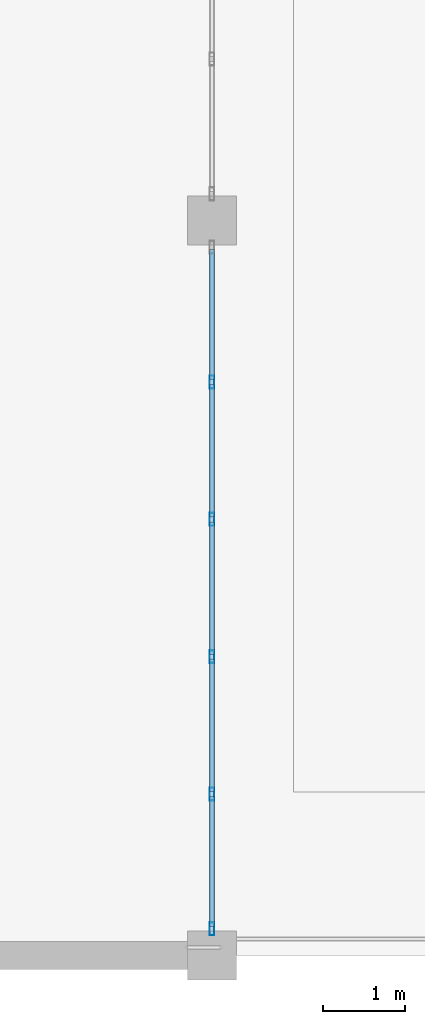
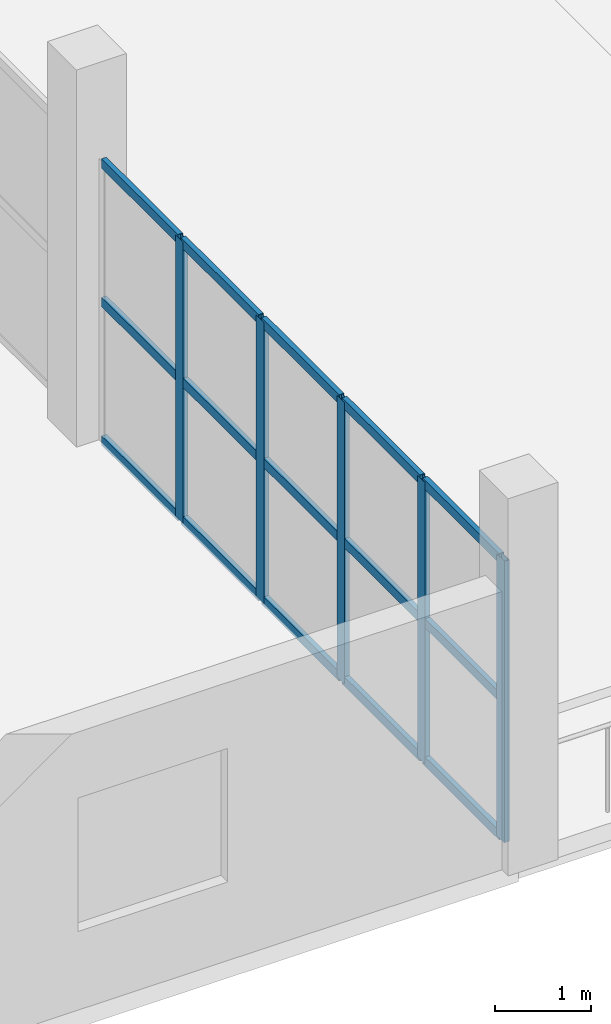
# One storey, part 23 of 89: 20 members, 1 element without a shape of its own.
"""IFC4 building model written with IfcOpenShell, lengths in metres."""

import ifcopenshell
import ifcopenshell.guid

model = None  # the IFC model being written
_history = None  # IfcOwnerHistory: only IFC2X3 demands one
_inside = {}  # id of a spatial element -> (the spatial element, [elements in it])
_under = {}  # id of a project, library or spatial element -> (it, [spatial elements below it])
_declared = {}  # id of a project -> (the project, [libraries it declares])
_typed = {}  # id of a type object -> (the type object, [elements of that type])
_made_of = {}  # id of a material, layer set ... -> (it, [elements and type objects made of it])


def new_model(schema):
    """Start an empty IFC model of exactly this schema.

    Asked for "IFC4X3", IfcOpenShell would pick the latest addendum, in which some entities
    have other attributes; the version numbers below select the first issue.
    IFC2X3 requires an IfcOwnerHistory on every rooted entity: one is made here for all.
    """
    global model, _history
    if schema == "IFC4X3":
        model = ifcopenshell.file(schema_version=(4, 3, 0, 0))
    else:
        model = ifcopenshell.file(schema=schema)
    _inside.clear()
    _under.clear()
    _declared.clear()
    _typed.clear()
    _made_of.clear()
    _history = None
    if model.schema == "IFC2X3":
        org = make("IfcOrganization", Name="unknown")
        user = make(
            "IfcPersonAndOrganization",
            ThePerson=make("IfcPerson", FamilyName="unknown"),
            TheOrganization=org,
        )
        app = make(
            "IfcApplication",
            ApplicationDeveloper=org,
            Version="unknown",
            ApplicationFullName="unknown",
            ApplicationIdentifier="unknown",
        )
        _history = make(
            "IfcOwnerHistory",
            OwningUser=user,
            OwningApplication=app,
            ChangeAction="ADDED",
            CreationDate=0,
        )
    return model


def make(cls, **values):
    """One entity of the class cls with the attributes given. An attribute that is None is left unset."""
    return model.create_entity(
        cls, **{name: value for name, value in values.items() if value is not None}
    )


def rooted(cls, **values):
    """An entity with a GlobalId (a new one), such as an element, a storey or a relation."""
    return make(cls, GlobalId=ifcopenshell.guid.new(), OwnerHistory=_history, **values)


def si_unit(unit_type, name, prefix=None):
    """IfcSIUnit, for example si_unit("LENGTHUNIT", "METRE", prefix="MILLI")."""
    return make("IfcSIUnit", UnitType=unit_type, Prefix=prefix, Name=name)


def assignment(units):
    """IfcUnitAssignment: the units of a project."""
    return None if units is None else make("IfcUnitAssignment", Units=units)


def point(xyz):
    """IfcCartesianPoint."""
    return None if xyz is None else make("IfcCartesianPoint", Coordinates=xyz)


def direction(xyz):
    """IfcDirection."""
    return None if xyz is None else make("IfcDirection", DirectionRatios=xyz)


def frame(location, z_axis=None, x_axis=None):
    """IfcAxis2Placement3D, a coordinate frame: its origin and axes. An axis left out is left unset."""
    return make(
        "IfcAxis2Placement3D",
        Location=point(location),
        Axis=direction(z_axis),
        RefDirection=direction(x_axis),
    )


def frame_2d(location, x_axis=None):
    """IfcAxis2Placement2D, a coordinate frame in the plane: its origin and x axis."""
    return make(
        "IfcAxis2Placement2D", Location=point(location), RefDirection=direction(x_axis)
    )


def origin():
    """The frame at (0, 0, 0) with its axes left unset."""
    return frame((0.0, 0.0, 0.0))


def origin_2d():
    """The frame at (0, 0) in the plane with its x axis left unset."""
    return frame_2d((0.0, 0.0))


def place(relative_to, where):
    """IfcLocalPlacement: puts the frame where relative to a parent placement (None: the world)."""
    return make(
        "IfcLocalPlacement", PlacementRelTo=relative_to, RelativePlacement=where
    )


def context(
    kind, dimensions, precision=None, world=None, true_north=None, identifier=None
):
    """IfcGeometricRepresentationContext, for example the 3D "Model" context."""
    return make(
        "IfcGeometricRepresentationContext",
        ContextIdentifier=identifier,
        ContextType=kind,
        CoordinateSpaceDimension=dimensions,
        Precision=precision,
        WorldCoordinateSystem=world,
        TrueNorth=true_north,
    )


def subcontext(parent, identifier, kind, view, scale=None):
    """IfcGeometricRepresentationSubContext, for example "Body" below "Model"."""
    return make(
        "IfcGeometricRepresentationSubContext",
        ContextIdentifier=identifier,
        ContextType=kind,
        ParentContext=parent,
        TargetScale=scale,
        TargetView=view,
    )


def project(units=None, contexts=None):
    """IfcProject with its units and contexts."""
    return rooted(
        "IfcProject",
        Name="project",
        RepresentationContexts=contexts,
        UnitsInContext=assignment(units),
    )


def spatial(cls, under=None, at=None, **own):
    """A site, building, storey or space (cls), placed at a placement, below another one or the project."""
    s = rooted(cls, ObjectPlacement=at, **own)
    if under is not None:
        _under.setdefault(under.id(), (under, []))[1].append(s)
    return s


def profile(cls, at=None, kind="AREA", **sizes):
    """A parametric profile (cls). Its sizes go by their IFC names, for example OverallWidth=200.0."""
    return make(cls, ProfileType=kind, Position=at, **sizes)


def hollow_rectangle(**sizes):
    """IfcRectangleHollowProfileDef."""
    return profile("IfcRectangleHollowProfileDef", **sizes)


def extrude(swept, where, along, depth):
    """IfcExtrudedAreaSolid: the profile swept, set in the frame where, extruded along a direction by depth."""
    return make(
        "IfcExtrudedAreaSolid",
        SweptArea=swept,
        Position=where,
        ExtrudedDirection=direction(along),
        Depth=depth,
    )


def shape(context_of_items, identifier, shape_type, items):
    """IfcShapeRepresentation: the items that make up one representation, for example the "Body"."""
    return make(
        "IfcShapeRepresentation",
        ContextOfItems=context_of_items,
        RepresentationIdentifier=identifier,
        RepresentationType=shape_type,
        Items=items,
    )


def material(Name=None, Category=None):
    """IfcMaterial."""
    return make("IfcMaterial", Name=Name, Category=Category)


def layer(
    of_material, thickness, ventilated=None, Name=None, Category=None, Priority=None
):
    """IfcMaterialLayer: one layer of a wall or slab, of a material (None: an air gap)."""
    return make(
        "IfcMaterialLayer",
        Material=of_material,
        LayerThickness=thickness,
        IsVentilated=ventilated,
        Name=Name,
        Category=Category,
        Priority=Priority,
    )


def layer_set(layers, Name=None):
    """IfcMaterialLayerSet."""
    return make("IfcMaterialLayerSet", MaterialLayers=layers, LayerSetName=Name)


def material_profile(
    of_material, cross_section, Name=None, Category=None, Priority=None
):
    """IfcMaterialProfile: a cross section and its material."""
    return make(
        "IfcMaterialProfile",
        Name=Name,
        Material=of_material,
        Profile=cross_section,
        Priority=Priority,
        Category=Category,
    )


def profile_set(profiles, Name=None, composite=None):
    """IfcMaterialProfileSet."""
    return make(
        "IfcMaterialProfileSet",
        Name=Name,
        MaterialProfiles=profiles,
        CompositeProfile=composite,
    )


def made_of(thing, what):
    """Note that an element or type object is made of a material, layer set ...; save() writes the relation."""
    if what is not None:
        _made_of.setdefault(what.id(), (what, []))[1].append(thing)
    return thing


def type_object(cls, material=None, **own):
    """A type object (cls), such as IfcWallType, which elements share."""
    return made_of(rooted(cls, **own), material)


def element(
    cls,
    number,
    at=None,
    inside=None,
    cuts=None,
    type_object=None,
    material=None,
    context=None,
    identifier="Body",
    shape_type=None,
    held_by="IfcProductDefinitionShape",
    body=None,
    shapes=None,
    **own,
):
    """One element of the class cls, such as IfcWall. Its Tag is "e" and its number.

    at: its placement. inside: the storey or other place that contains it. cuts: it is an
    opening in that element (IfcRelVoidsElement). A single representation is given by context,
    identifier, shape_type and body (its items); several are given by shapes. held_by: the class
    of the entity that holds the representations. save() writes the other relations.
    """
    e = rooted(cls, Tag="e%d" % number, ObjectPlacement=at, **own)
    if body is not None:
        shapes = [shape(context, identifier, shape_type, body)]
    if shapes is not None:
        e.Representation = make(held_by, Representations=shapes)
    if inside is not None:
        _inside.setdefault(inside.id(), (inside, []))[1].append(e)
    if cuts is not None:
        rooted(
            "IfcRelVoidsElement", RelatingBuildingElement=cuts, RelatedOpeningElement=e
        )
    if type_object is not None:
        _typed.setdefault(type_object.id(), (type_object, []))[1].append(e)
    return made_of(e, material)


def aggregate(whole, parts):
    """IfcRelAggregates: a whole, such as a stair, and the parts it consists of."""
    return rooted("IfcRelAggregates", RelatingObject=whole, RelatedObjects=parts)


def save(model, path):
    """Write the relations noted so far, then the file.

    IfcRelAggregates (storeys below a building ...), IfcRelContainedInSpatialStructure (elements
    in a storey), IfcRelDefinesByType, IfcRelAssociatesMaterial and IfcRelDeclares: one each for
    every whole, place, type object, material and project.
    """
    for whole, parts in _under.values():
        aggregate(whole, parts)
    for where, things in _inside.values():
        rooted(
            "IfcRelContainedInSpatialStructure",
            RelatedElements=things,
            RelatingStructure=where,
        )
    for kind, things in _typed.values():
        rooted("IfcRelDefinesByType", RelatedObjects=things, RelatingType=kind)
    for what, things in _made_of.values():
        rooted("IfcRelAssociatesMaterial", RelatedObjects=things, RelatingMaterial=what)
    for by, libraries in _declared.values():
        rooted("IfcRelDeclares", RelatingContext=by, RelatedDefinitions=libraries)
    model.write(path)


model = new_model("IFC4")

# Units and contexts
model_context = context("Model", 3, precision=1e-05, world=origin(), true_north=direction((0.0, 1.0)))
body_context = subcontext(model_context, "Body", "Model", "MODEL_VIEW")
ifc_project = project(units=[si_unit("LENGTHUNIT", "METRE"), si_unit("AREAUNIT", "SQUARE_METRE"), si_unit("VOLUMEUNIT", "CUBIC_METRE"), si_unit("PLANEANGLEUNIT", "RADIAN"), si_unit("MASSUNIT", "GRAM", prefix="KILO")], contexts=[model_context])

# Site, building, storey
site_placement = place(None, origin())
site = spatial("IfcSite", under=ifc_project, at=site_placement, CompositionType="ELEMENT")
building_placement = place(site_placement, origin())
building = spatial("IfcBuilding", under=site, at=building_placement, Name="Dornveld Trade and Exhibition Forum", CompositionType="ELEMENT")
storey_placement = place(building_placement, frame((0.0, 0.0, 12.0)))
storey = spatial("IfcBuildingStorey", under=building, at=storey_placement, Name="L02", CompositionType="ELEMENT", Elevation=12.0)

# Curtain wall, members
ifc_material_1 = material(Name="Dark-bronze anodised aluminium and low-E glass", Category="aluminium")
ifc_layer = layer(ifc_material_1, 0.154052734375)
ifc_layer_set = layer_set([ifc_layer], Name="Dark-bronze anodised aluminium and low-E glass")
curtain_wall_type = type_object("IfcCurtainWallType", Name="CW-SYS-04", PredefinedType="USERDEFINED", material=ifc_layer_set)
curtain_wall_placement = place(storey_placement, origin())
curtain_wall = element("IfcCurtainWall", 1, at=curtain_wall_placement, inside=storey, type_object=curtain_wall_type, Name="L02 unitised curtain wall 76", ObjectType="UNITISED_CURTAIN_WALL", PredefinedType="USERDEFINED")
ifc_material_2 = material(Name="Dark-bronze anodised aluminium", Category="aluminium")
ifc_material_profile_1 = material_profile(ifc_material_2, hollow_rectangle(XDim=0.06005859375, YDim=0.159912109375, WallThickness=0.00390625, at=origin_2d()), Name="RHS 160x60x4")
ifc_profile_set_1 = profile_set([ifc_material_profile_1], Name="Dark-bronze anodised aluminium")
member_type_1 = type_object("IfcMemberType", Name="CW-MUL-160", PredefinedType="MULLION", material=ifc_profile_set_1)
member_1_placement = place(storey_placement, frame((225.0, 0.325927734375, -0.00390625), z_axis=(0.0, 0.0, 1.0), x_axis=(-1.0, 0.0, 0.0)))
member_1 = element("IfcMember", 2, at=member_1_placement, type_object=member_type_1, Name="CW-04 mullion 1", PredefinedType="MULLION", context=body_context, shape_type="SweptSolid", body=[
    extrude(hollow_rectangle(XDim=0.06005859375, YDim=0.159912109375, WallThickness=0.00390625, at=origin_2d()), origin(), (0.0, 0.0, 1.0), 3.583984375),
])
member_2_placement = place(storey_placement, frame((225.0, 1.9775390625, -0.00390625), z_axis=(0.0, 0.0, 1.0), x_axis=(-1.0, 0.0, 0.0)))
member_2 = element("IfcMember", 3, at=member_2_placement, type_object=member_type_1, Name="CW-04 mullion 2", PredefinedType="MULLION", context=body_context, shape_type="SweptSolid", body=[
    extrude(hollow_rectangle(XDim=0.06005859375, YDim=0.159912109375, WallThickness=0.00390625, at=origin_2d()), origin(), (0.0, 0.0, 1.0), 3.583984375),
])
member_3_placement = place(storey_placement, frame((225.0, 3.6591796875, -0.00390625), z_axis=(0.0, 0.0, 1.0), x_axis=(-1.0, 0.0, 0.0)))
member_3 = element("IfcMember", 4, at=member_3_placement, type_object=member_type_1, Name="CW-04 mullion 3", PredefinedType="MULLION", context=body_context, shape_type="SweptSolid", body=[
    extrude(hollow_rectangle(XDim=0.06005859375, YDim=0.159912109375, WallThickness=0.00390625, at=origin_2d()), origin(), (0.0, 0.0, 1.0), 3.583984375),
])
member_4_placement = place(storey_placement, frame((225.0, 5.3408203125, -0.00390625), z_axis=(0.0, 0.0, 1.0), x_axis=(-1.0, 0.0, 0.0)))
member_4 = element("IfcMember", 5, at=member_4_placement, type_object=member_type_1, Name="CW-04 mullion 4", PredefinedType="MULLION", context=body_context, shape_type="SweptSolid", body=[
    extrude(hollow_rectangle(XDim=0.06005859375, YDim=0.159912109375, WallThickness=0.00390625, at=origin_2d()), origin(), (0.0, 0.0, 1.0), 3.583984375),
])
member_5_placement = place(storey_placement, frame((225.0, 7.0224609375, -0.00390625), z_axis=(0.0, 0.0, 1.0), x_axis=(-1.0, 0.0, 0.0)))
member_5 = element("IfcMember", 6, at=member_5_placement, type_object=member_type_1, Name="CW-04 mullion 5", PredefinedType="MULLION", context=body_context, shape_type="SweptSolid", body=[
    extrude(hollow_rectangle(XDim=0.06005859375, YDim=0.159912109375, WallThickness=0.00390625, at=origin_2d()), origin(), (0.0, 0.0, 1.0), 3.583984375),
])
ifc_material_3 = material(Name="Dark-bronze anodised aluminium", Category="aluminium")
ifc_material_profile_2 = material_profile(ifc_material_3, hollow_rectangle(XDim=0.06005859375, YDim=0.1201171875, WallThickness=0.00390625, at=origin_2d()), Name="RHS 120x60x4")
ifc_profile_set_2 = profile_set([ifc_material_profile_2], Name="Dark-bronze anodised aluminium")
member_type_2 = type_object("IfcMemberType", Name="CW-TRN-120", PredefinedType="USERDEFINED", material=ifc_profile_set_2)
member_6_placement = place(storey_placement, frame((225.0, 0.35595703125, 0.02587890625), z_axis=(0.0, 1.0, 0.0), x_axis=(-1.0, 0.0, 0.0)))
member_6 = element("IfcMember", 7, at=member_6_placement, type_object=member_type_2, Name="CW-04 transom 1.1", ObjectType="TRANSOM", PredefinedType="USERDEFINED", context=body_context, shape_type="SweptSolid", body=[
    extrude(hollow_rectangle(XDim=0.06005859375, YDim=0.1201171875, WallThickness=0.00390625, at=origin_2d()), origin(), (0.0, 0.0, 1.0), 1.591552734375),
])
member_7_placement = place(storey_placement, frame((225.0, 0.35595703125, 1.7880859375), z_axis=(0.0, 1.0, 0.0), x_axis=(-1.0, 0.0, 0.0)))
member_7 = element("IfcMember", 8, at=member_7_placement, type_object=member_type_2, Name="CW-04 transom 1.2", ObjectType="TRANSOM", PredefinedType="USERDEFINED", context=body_context, shape_type="SweptSolid", body=[
    extrude(hollow_rectangle(XDim=0.06005859375, YDim=0.1201171875, WallThickness=0.00390625, at=origin_2d()), origin(), (0.0, 0.0, 1.0), 1.591552734375),
])
member_8_placement = place(storey_placement, frame((225.0, 0.35595703125, 3.550048828125), z_axis=(0.0, 1.0, 0.0), x_axis=(-1.0, 0.0, 0.0)))
member_8 = element("IfcMember", 9, at=member_8_placement, type_object=member_type_2, Name="CW-04 transom 1.3", ObjectType="TRANSOM", PredefinedType="USERDEFINED", context=body_context, shape_type="SweptSolid", body=[
    extrude(hollow_rectangle(XDim=0.06005859375, YDim=0.1201171875, WallThickness=0.00390625, at=origin_2d()), origin(), (0.0, 0.0, 1.0), 1.591552734375),
])
member_9_placement = place(storey_placement, frame((225.0, 2.007568359375, 0.02587890625), z_axis=(0.0, 1.0, 0.0), x_axis=(-1.0, 0.0, 0.0)))
member_9 = element("IfcMember", 10, at=member_9_placement, type_object=member_type_2, Name="CW-04 transom 2.1", ObjectType="TRANSOM", PredefinedType="USERDEFINED", context=body_context, shape_type="SweptSolid", body=[
    extrude(hollow_rectangle(XDim=0.06005859375, YDim=0.1201171875, WallThickness=0.00390625, at=origin_2d()), origin(), (0.0, 0.0, 1.0), 1.62158203125),
])
member_10_placement = place(storey_placement, frame((225.0, 2.007568359375, 1.7880859375), z_axis=(0.0, 1.0, 0.0), x_axis=(-1.0, 0.0, 0.0)))
member_10 = element("IfcMember", 11, at=member_10_placement, type_object=member_type_2, Name="CW-04 transom 2.2", ObjectType="TRANSOM", PredefinedType="USERDEFINED", context=body_context, shape_type="SweptSolid", body=[
    extrude(hollow_rectangle(XDim=0.06005859375, YDim=0.1201171875, WallThickness=0.00390625, at=origin_2d()), origin(), (0.0, 0.0, 1.0), 1.62158203125),
])
member_11_placement = place(storey_placement, frame((225.0, 2.007568359375, 3.550048828125), z_axis=(0.0, 1.0, 0.0), x_axis=(-1.0, 0.0, 0.0)))
member_11 = element("IfcMember", 12, at=member_11_placement, type_object=member_type_2, Name="CW-04 transom 2.3", ObjectType="TRANSOM", PredefinedType="USERDEFINED", context=body_context, shape_type="SweptSolid", body=[
    extrude(hollow_rectangle(XDim=0.06005859375, YDim=0.1201171875, WallThickness=0.00390625, at=origin_2d()), origin(), (0.0, 0.0, 1.0), 1.62158203125),
])
member_12_placement = place(storey_placement, frame((225.0, 3.689208984375, 0.02587890625), z_axis=(0.0, 1.0, 0.0), x_axis=(-1.0, 0.0, 0.0)))
member_12 = element("IfcMember", 13, at=member_12_placement, type_object=member_type_2, Name="CW-04 transom 3.1", ObjectType="TRANSOM", PredefinedType="USERDEFINED", context=body_context, shape_type="SweptSolid", body=[
    extrude(hollow_rectangle(XDim=0.06005859375, YDim=0.1201171875, WallThickness=0.00390625, at=origin_2d()), origin(), (0.0, 0.0, 1.0), 1.62158203125),
])
member_13_placement = place(storey_placement, frame((225.0, 3.689208984375, 1.7880859375), z_axis=(0.0, 1.0, 0.0), x_axis=(-1.0, 0.0, 0.0)))
member_13 = element("IfcMember", 14, at=member_13_placement, type_object=member_type_2, Name="CW-04 transom 3.2", ObjectType="TRANSOM", PredefinedType="USERDEFINED", context=body_context, shape_type="SweptSolid", body=[
    extrude(hollow_rectangle(XDim=0.06005859375, YDim=0.1201171875, WallThickness=0.00390625, at=origin_2d()), origin(), (0.0, 0.0, 1.0), 1.62158203125),
])
member_14_placement = place(storey_placement, frame((225.0, 3.689208984375, 3.550048828125), z_axis=(0.0, 1.0, 0.0), x_axis=(-1.0, 0.0, 0.0)))
member_14 = element("IfcMember", 15, at=member_14_placement, type_object=member_type_2, Name="CW-04 transom 3.3", ObjectType="TRANSOM", PredefinedType="USERDEFINED", context=body_context, shape_type="SweptSolid", body=[
    extrude(hollow_rectangle(XDim=0.06005859375, YDim=0.1201171875, WallThickness=0.00390625, at=origin_2d()), origin(), (0.0, 0.0, 1.0), 1.62158203125),
])
member_15_placement = place(storey_placement, frame((225.0, 5.370849609375, 0.02587890625), z_axis=(0.0, 1.0, 0.0), x_axis=(-1.0, 0.0, 0.0)))
member_15 = element("IfcMember", 16, at=member_15_placement, type_object=member_type_2, Name="CW-04 transom 4.1", ObjectType="TRANSOM", PredefinedType="USERDEFINED", context=body_context, shape_type="SweptSolid", body=[
    extrude(hollow_rectangle(XDim=0.06005859375, YDim=0.1201171875, WallThickness=0.00390625, at=origin_2d()), origin(), (0.0, 0.0, 1.0), 1.62158203125),
])
member_16_placement = place(storey_placement, frame((225.0, 5.370849609375, 1.7880859375), z_axis=(0.0, 1.0, 0.0), x_axis=(-1.0, 0.0, 0.0)))
member_16 = element("IfcMember", 17, at=member_16_placement, type_object=member_type_2, Name="CW-04 transom 4.2", ObjectType="TRANSOM", PredefinedType="USERDEFINED", context=body_context, shape_type="SweptSolid", body=[
    extrude(hollow_rectangle(XDim=0.06005859375, YDim=0.1201171875, WallThickness=0.00390625, at=origin_2d()), origin(), (0.0, 0.0, 1.0), 1.62158203125),
])
member_17_placement = place(storey_placement, frame((225.0, 5.370849609375, 3.550048828125), z_axis=(0.0, 1.0, 0.0), x_axis=(-1.0, 0.0, 0.0)))
member_17 = element("IfcMember", 18, at=member_17_placement, type_object=member_type_2, Name="CW-04 transom 4.3", ObjectType="TRANSOM", PredefinedType="USERDEFINED", context=body_context, shape_type="SweptSolid", body=[
    extrude(hollow_rectangle(XDim=0.06005859375, YDim=0.1201171875, WallThickness=0.00390625, at=origin_2d()), origin(), (0.0, 0.0, 1.0), 1.62158203125),
])
member_18_placement = place(storey_placement, frame((225.0, 7.052490234375, 0.02587890625), z_axis=(0.0, 1.0, 0.0), x_axis=(-1.0, 0.0, 0.0)))
member_18 = element("IfcMember", 19, at=member_18_placement, type_object=member_type_2, Name="CW-04 transom 5.1", ObjectType="TRANSOM", PredefinedType="USERDEFINED", context=body_context, shape_type="SweptSolid", body=[
    extrude(hollow_rectangle(XDim=0.06005859375, YDim=0.1201171875, WallThickness=0.00390625, at=origin_2d()), origin(), (0.0, 0.0, 1.0), 1.591552734375),
])
member_19_placement = place(storey_placement, frame((225.0, 7.052490234375, 1.7880859375), z_axis=(0.0, 1.0, 0.0), x_axis=(-1.0, 0.0, 0.0)))
member_19 = element("IfcMember", 20, at=member_19_placement, type_object=member_type_2, Name="CW-04 transom 5.2", ObjectType="TRANSOM", PredefinedType="USERDEFINED", context=body_context, shape_type="SweptSolid", body=[
    extrude(hollow_rectangle(XDim=0.06005859375, YDim=0.1201171875, WallThickness=0.00390625, at=origin_2d()), origin(), (0.0, 0.0, 1.0), 1.591552734375),
])
member_20_placement = place(storey_placement, frame((225.0, 7.052490234375, 3.550048828125), z_axis=(0.0, 1.0, 0.0), x_axis=(-1.0, 0.0, 0.0)))
member_20 = element("IfcMember", 21, at=member_20_placement, type_object=member_type_2, Name="CW-04 transom 5.3", ObjectType="TRANSOM", PredefinedType="USERDEFINED", context=body_context, shape_type="SweptSolid", body=[
    extrude(hollow_rectangle(XDim=0.06005859375, YDim=0.1201171875, WallThickness=0.00390625, at=origin_2d()), origin(), (0.0, 0.0, 1.0), 1.591552734375),
])
aggregate(curtain_wall, [member_1, member_2, member_3, member_4, member_5, member_6, member_7, member_8, member_9, member_10, member_11, member_12, member_13, member_14, member_15, member_16, member_17, member_18, member_19, member_20])

save(model, "model.ifc")
